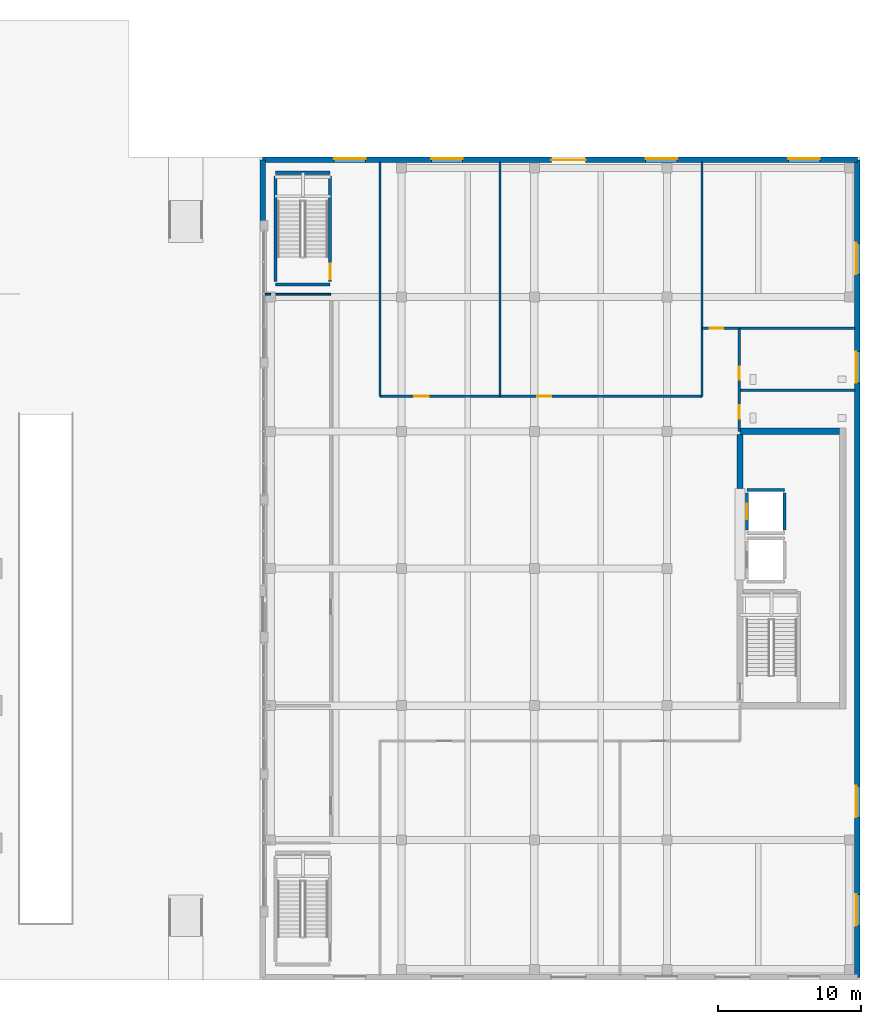
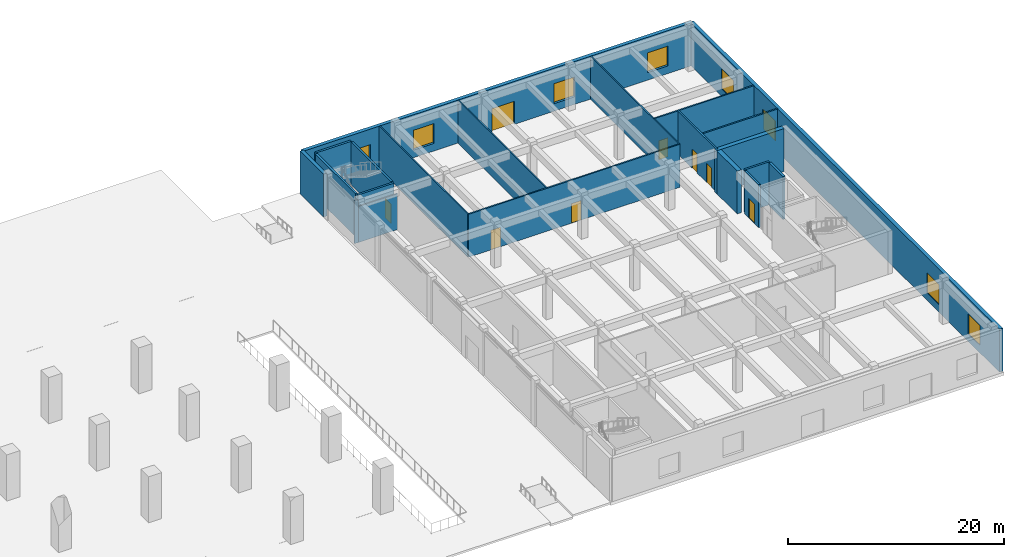
# One storey, part 7 of 24: 21 walls, 8 doors, 8 windows, 16 openings.
"""IFC4 building model written with IfcOpenShell, lengths in metres."""

from ifc_helpers import new_model, si_unit, direction, frame, frame_2d, origin, place, context, subcontext, project, spatial, rectangle, extrude, material, layer, layer_set, type_object, element, fill, save


model = new_model("IFC4")

# Units and contexts
model_context = context("Model", 3, precision=1e-05, world=origin(), true_north=direction((0.0, 1.0)))
body_context = subcontext(model_context, "Body", "Model", "MODEL_VIEW")
ifc_project = project(units=[si_unit("LENGTHUNIT", "METRE"), si_unit("AREAUNIT", "SQUARE_METRE"), si_unit("VOLUMEUNIT", "CUBIC_METRE"), si_unit("PLANEANGLEUNIT", "RADIAN"), si_unit("MASSUNIT", "GRAM", prefix="KILO")], contexts=[model_context])

# Site, building, storey
site_placement = place(None, origin())
site = spatial("IfcSite", under=ifc_project, at=site_placement, CompositionType="ELEMENT")
building_placement = place(site_placement, origin())
building = spatial("IfcBuilding", under=site, at=building_placement, Name="Norrvale University Quadrangle", CompositionType="ELEMENT")
storey_placement = place(building_placement, origin())
storey = spatial("IfcBuildingStorey", under=building, at=storey_placement, Name="L00", CompositionType="ELEMENT", Elevation=0.0)

# Walls
ifc_material_1 = material(Name="Standard Academic Gypsum Partition")
ifc_layer_1 = layer(ifc_material_1, 0.125, Name="Standard Academic Gypsum Partition")
ifc_layer_set_1 = layer_set([ifc_layer_1], Name="Standard Academic Gypsum Partition")
wall_type_1 = type_object("IfcWallType", Name="Wall Gypsum Academic 125", PredefinedType="PARTITIONING", material=ifc_layer_set_1)
wall_1_placement = place(storey_placement, frame((85.550048828125, 48.0, 0.0), z_axis=(0.0, 0.0, 1.0), x_axis=(1.0, 0.0, 0.0)))
element("IfcWall", 1, at=wall_1_placement, inside=storey, type_object=wall_type_1, Name="Interior Partition WL-L00-CIRC-N", PredefinedType="PARTITIONING", context=body_context, shape_type="SweptSolid", body=[
    extrude(rectangle(XDim=0.39990234375, YDim=0.125, at=frame_2d((0.199951171875, 0.0))), origin(), (0.0, 0.0, 1.0), 4.85009765625),
])
wall_2_placement = place(storey_placement, frame((85.949951171875, 48.0, 0.0), z_axis=(0.0, 0.0, 1.0), x_axis=(1.0, 0.0, 0.0)))
element("IfcWall", 2, at=wall_2_placement, inside=storey, type_object=wall_type_1, Name="Interior Partition WL-L00-CIRC-N-B2", PredefinedType="PARTITIONING", context=body_context, shape_type="SweptSolid", body=[
    extrude(rectangle(XDim=4.199951171875, YDim=0.125, at=frame_2d((2.10009765625, 0.0))), origin(), (0.0, 0.0, 1.0), 4.050048828125),
])
for number, where, z_axis, x_axis, name in (
    (3, (93.60009765625, 40.860107421875, 0.0), (0.0, 0.0, 1.0), (0.0, 1.0, 0.0), "Interior Partition WL-L00-LSN-W"),
    (4, (102.0, 40.860107421875, 0.0), (0.0, 0.0, 1.0), (0.0, 1.0, 0.0), "Interior Partition WL-L00-LSN-M"),
    (5, (116.139892578125, 40.860107421875, 0.0), (0.0, 0.0, 1.0), (0.0, 1.0, 0.0), "Interior Partition WL-L00-LSN-E"),
):
    element("IfcWall", number, at=place(storey_placement, frame(where, z_axis=z_axis, x_axis=x_axis)), inside=storey, type_object=wall_type_1, Name=name, PredefinedType="PARTITIONING", context=body_context, shape_type="SweptSolid", body=[
        extrude(rectangle(XDim=16.389892578125, YDim=0.125, at=frame_2d((8.19482421875, 0.0))), origin(), (0.0, 0.0, 1.0), 4.85009765625),
    ])

# Wall, openings, doors
ifc_material_2 = material(Name="Fire-Rated Gypsum Stud Partition")
ifc_layer_2 = layer(ifc_material_2, 0.14990234375, Name="Fire-Rated Gypsum Stud Partition")
ifc_layer_set_2 = layer_set([ifc_layer_2], Name="Fire-Rated Gypsum Stud Partition")
wall_type_2 = type_object("IfcWallType", Name="Wall Gypsum Corridor 150", PredefinedType="PARTITIONING", material=ifc_layer_set_2)
wall_3_placement = place(storey_placement, frame((93.60009765625, 40.860107421875, 0.0), z_axis=(0.0, 0.0, 1.0), x_axis=(1.0, 0.0, 0.0)))
wall_3 = element("IfcWall", 6, at=wall_3_placement, inside=storey, type_object=wall_type_2, Name="Interior Partition WL-L00-LSN-S", PredefinedType="PARTITIONING", context=body_context, shape_type="SweptSolid", body=[
    extrude(rectangle(XDim=22.539794921875, YDim=0.14990234375, at=frame_2d((11.27001953125, 0.0))), origin(), (0.0, 0.0, 1.0), 4.85009765625),
])
opening_1_placement = place(wall_3_placement, frame((2.39990234375, 0.0, 0.0)))
opening_1 = element("IfcOpeningElement", 7, at=opening_1_placement, cuts=wall_3, Name="Opening D04", PredefinedType="OPENING", context=body_context, shape_type="SweptSolid", body=[
    extrude(rectangle(XDim=1.0, YDim=2.199951171875, at=frame_2d((0.5, 1.10009765625))), frame((0.0, 0.0869140625, 0.0), z_axis=(0.0, -1.0, 0.0), x_axis=(1.0, 0.0, 0.0)), (0.0, 0.0, 1.0), 0.173828125),
])
opening_2_placement = place(wall_3_placement, frame((11.0, 0.0, 0.0)))
opening_2 = element("IfcOpeningElement", 8, at=opening_2_placement, cuts=wall_3, Name="Opening D04", PredefinedType="OPENING", context=body_context, shape_type="SweptSolid", body=[
    extrude(rectangle(XDim=1.0, YDim=2.199951171875, at=frame_2d((0.5, 1.10009765625))), frame((0.0, 0.0869140625, 0.0), z_axis=(0.0, -1.0, 0.0), x_axis=(1.0, 0.0, 0.0)), (0.0, 0.0, 1.0), 0.173828125),
])
ifc_material_3 = material(Name="Solid-Core Oak Fire Door", Category="wood")
door_type_1 = type_object("IfcDoorType", Name="Door Corridor 1000x2200", OperationType="NOTDEFINED", PredefinedType="DOOR", material=ifc_material_3)
door_1_placement = place(opening_1_placement, origin())
door_1 = element("IfcDoor", 9, at=door_1_placement, inside=storey, type_object=door_type_1, Name="Door Corridor 1000x2200 DR-L00-LN1", OperationType="SINGLE_SWING_LEFT", OverallHeight=2.199951171875, OverallWidth=1.0, PredefinedType="DOOR", context=body_context, shape_type="SweptSolid", body=[
    extrude(rectangle(XDim=1.0, YDim=2.199951171875, at=frame_2d((0.5, 1.10009765625))), frame((0.0, 0.02490234375, 0.0), z_axis=(0.0, -1.0, 0.0), x_axis=(1.0, 0.0, 0.0)), (0.0, 0.0, 1.0), 0.050048828125),
])
fill(opening_1, door_1)
door_2_placement = place(opening_2_placement, origin())
door_2 = element("IfcDoor", 10, at=door_2_placement, inside=storey, type_object=door_type_1, Name="Door Corridor 1000x2200 DR-L00-LN2", OperationType="SINGLE_SWING_RIGHT", OverallHeight=2.199951171875, OverallWidth=1.0, PredefinedType="DOOR", context=body_context, shape_type="SweptSolid", body=[
    extrude(rectangle(XDim=1.0, YDim=2.199951171875, at=frame_2d((0.5, 1.10009765625))), frame((0.0, 0.02490234375, 0.0), z_axis=(0.0, -1.0, 0.0), x_axis=(1.0, 0.0, 0.0)), (0.0, 0.0, 1.0), 0.050048828125),
])
fill(opening_2, door_2)

# Wall, opening, door
wall_4_placement = place(storey_placement, frame((116.139892578125, 45.6201171875, 0.0), z_axis=(0.0, 0.0, 1.0), x_axis=(1.0, 0.0, 0.0)))
wall_4 = element("IfcWall", 11, at=wall_4_placement, inside=storey, type_object=wall_type_2, Name="Interior Partition WL-L00-LNS-S", PredefinedType="PARTITIONING", context=body_context, shape_type="SweptSolid", body=[
    extrude(rectangle(XDim=10.710205078125, YDim=0.14990234375, at=frame_2d((5.35498046875, 0.0))), origin(), (0.0, 0.0, 1.0), 4.85009765625),
])
opening_3_placement = place(wall_4_placement, frame((0.550048828125, 0.0, 0.0)))
opening_3 = element("IfcOpeningElement", 12, at=opening_3_placement, cuts=wall_4, Name="Opening D07", PredefinedType="OPENING", context=body_context, shape_type="SweptSolid", body=[
    extrude(rectangle(XDim=0.949951171875, YDim=2.14990234375, at=frame_2d((0.47509765625, 1.074951171875))), frame((0.0, 0.0869140625, 0.0), z_axis=(0.0, -1.0, 0.0), x_axis=(1.0, 0.0, 0.0)), (0.0, 0.0, 1.0), 0.173828125),
])
ifc_material_4 = material(Name="Solid-Core Maple Door", Category="wood")
door_type_2 = type_object("IfcDoorType", Name="Door Office 950x2150", OperationType="NOTDEFINED", PredefinedType="DOOR", material=ifc_material_4)
door_3_placement = place(opening_3_placement, origin())
door_3 = element("IfcDoor", 13, at=door_3_placement, inside=storey, type_object=door_type_2, Name="Door Office 950x2150 DR-L00-LNS", OperationType="SINGLE_SWING_LEFT", OverallHeight=2.14990234375, OverallWidth=0.949951171875, PredefinedType="DOOR", context=body_context, shape_type="SweptSolid", body=[
    extrude(rectangle(XDim=0.949951171875, YDim=2.14990234375, at=frame_2d((0.47509765625, 1.074951171875))), frame((0.0, 0.02490234375, 0.0), z_axis=(0.0, -1.0, 0.0), x_axis=(1.0, 0.0, 0.0)), (0.0, 0.0, 1.0), 0.050048828125),
])
fill(opening_3, door_3)

# Wall
ifc_material_5 = material(Name="Sanitary Chase Gypsum Partition")
ifc_layer_3 = layer(ifc_material_5, 0.1650390625, Name="Sanitary Chase Gypsum Partition")
ifc_layer_set_3 = layer_set([ifc_layer_3], Name="Sanitary Chase Gypsum Partition")
wall_type_3 = type_object("IfcWallType", Name="Wall Gypsum Sanitary 165", PredefinedType="PLUMBINGWALL", material=ifc_layer_set_3)
wall_5_placement = place(storey_placement, frame((118.75, 41.280029296875, 0.0), z_axis=(0.0, 0.0, 1.0), x_axis=(1.0, 0.0, 0.0)))
element("IfcWall", 14, at=wall_5_placement, inside=storey, type_object=wall_type_3, Name="Interior Partition WL-L00-LWC-M1", PredefinedType="PLUMBINGWALL", context=body_context, shape_type="SweptSolid", body=[
    extrude(rectangle(XDim=8.10009765625, YDim=0.1650390625, at=frame_2d((4.050048828125, 0.0))), origin(), (0.0, 0.0, 1.0), 4.85009765625),
])

# Wall, openings, doors
wall_6_placement = place(storey_placement, frame((118.75, 38.39990234375, 0.0), z_axis=(0.0, 0.0, 1.0), x_axis=(0.0, 1.0, 0.0)))
wall_6 = element("IfcWall", 15, at=wall_6_placement, inside=storey, type_object=wall_type_3, Name="Interior Partition WL-L00-LWC-W", PredefinedType="PLUMBINGWALL", context=body_context, shape_type="SweptSolid", body=[
    extrude(rectangle(XDim=7.22021484375, YDim=0.1650390625, at=frame_2d((3.610107421875, 0.0))), origin(), (0.0, 0.0, 1.0), 4.85009765625),
])
opening_4_placement = place(wall_6_placement, frame((0.89990234375, 0.0, 0.0)))
opening_4 = element("IfcOpeningElement", 16, at=opening_4_placement, cuts=wall_6, Name="Opening D08", PredefinedType="OPENING", context=body_context, shape_type="SweptSolid", body=[
    extrude(rectangle(XDim=0.919921875, YDim=2.14990234375, at=frame_2d((0.4599609375, 1.074951171875))), frame((0.0, 0.094482421875, 0.0), z_axis=(0.0, -1.0, 0.0), x_axis=(1.0, 0.0, 0.0)), (0.0, 0.0, 1.0), 0.18896484375),
])
opening_5_placement = place(wall_6_placement, frame((3.60009765625, 0.0, 0.0)))
opening_5 = element("IfcOpeningElement", 17, at=opening_5_placement, cuts=wall_6, Name="Opening D08", PredefinedType="OPENING", context=body_context, shape_type="SweptSolid", body=[
    extrude(rectangle(XDim=0.919921875, YDim=2.14990234375, at=frame_2d((0.4599609375, 1.074951171875))), frame((0.0, 0.094482421875, 0.0), z_axis=(0.0, -1.0, 0.0), x_axis=(1.0, 0.0, 0.0)), (0.0, 0.0, 1.0), 0.18896484375),
])
ifc_material_6 = material(Name="Laminate Washroom Door", Category="wood")
door_type_3 = type_object("IfcDoorType", Name="Door Washroom 920x2150", OperationType="NOTDEFINED", PredefinedType="DOOR", material=ifc_material_6)
door_4_placement = place(opening_4_placement, origin())
door_4 = element("IfcDoor", 18, at=door_4_placement, inside=storey, type_object=door_type_3, Name="Door Washroom 920x2150 DR-L00-LWC1", OperationType="SINGLE_SWING_LEFT", OverallHeight=2.14990234375, OverallWidth=0.919921875, PredefinedType="DOOR", context=body_context, shape_type="SweptSolid", body=[
    extrude(rectangle(XDim=0.919921875, YDim=2.14990234375, at=frame_2d((0.4599609375, 1.074951171875))), frame((0.0, 0.02490234375, 0.0), z_axis=(0.0, -1.0, 0.0), x_axis=(1.0, 0.0, 0.0)), (0.0, 0.0, 1.0), 0.050048828125),
])
fill(opening_4, door_4)
door_5_placement = place(opening_5_placement, origin())
door_5 = element("IfcDoor", 19, at=door_5_placement, inside=storey, type_object=door_type_3, Name="Door Washroom 920x2150 DR-L00-LWC2", OperationType="SINGLE_SWING_RIGHT", OverallHeight=2.14990234375, OverallWidth=0.919921875, PredefinedType="DOOR", context=body_context, shape_type="SweptSolid", body=[
    extrude(rectangle(XDim=0.919921875, YDim=2.14990234375, at=frame_2d((0.4599609375, 1.074951171875))), frame((0.0, 0.02490234375, 0.0), z_axis=(0.0, -1.0, 0.0), x_axis=(1.0, 0.0, 0.0)), (0.0, 0.0, 1.0), 0.050048828125),
])
fill(opening_5, door_5)

# Wall, openings, door, windows
ifc_material_7 = material(Name="Buff Norman Clay Brick Masonry", Category="masonry")
ifc_layer_4 = layer(ifc_material_7, 0.3798828125, Name="Buff Norman Clay Brick Masonry")
ifc_layer_set_4 = layer_set([ifc_layer_4], Name="Buff Norman Clay Brick Masonry")
wall_type_4 = type_object("IfcWallType", Name="Wall Lib Brick 380", PredefinedType="SOLIDWALL", material=ifc_layer_set_4)
wall_7_placement = place(storey_placement, frame((85.389892578125, 57.409912109375, 0.0), z_axis=(0.0, 0.0, 1.0), x_axis=(1.0, 0.0, 0.0)))
wall_7 = element("IfcWall", 20, at=wall_7_placement, inside=storey, type_object=wall_type_4, Name="Central Library North Brick Facade L00", PredefinedType="SOLIDWALL", context=body_context, shape_type="SweptSolid", body=[
    extrude(rectangle(XDim=41.6201171875, YDim=0.3798828125, at=frame_2d((20.81005859375, 0.0))), origin(), (0.0, 0.0, 1.0), 4.85009765625),
])
opening_6_placement = place(wall_7_placement, frame((5.0, 0.0, 0.85009765625)))
opening_6 = element("IfcOpeningElement", 21, at=opening_6_placement, cuts=wall_7, Name="Opening W06", PredefinedType="OPENING", context=body_context, shape_type="SweptSolid", body=[
    extrude(rectangle(XDim=2.199951171875, YDim=2.25, at=frame_2d((1.10009765625, 1.125))), frame((0.0, 0.201904296875, 0.0), z_axis=(0.0, -1.0, 0.0), x_axis=(1.0, 0.0, 0.0)), (0.0, 0.0, 1.0), 0.40380859375),
])
opening_7_placement = place(wall_7_placement, frame((11.800048828125, 0.0, 0.85009765625)))
opening_7 = element("IfcOpeningElement", 22, at=opening_7_placement, cuts=wall_7, Name="Opening W06", PredefinedType="OPENING", context=body_context, shape_type="SweptSolid", body=[
    extrude(rectangle(XDim=2.199951171875, YDim=2.25, at=frame_2d((1.10009765625, 1.125))), frame((0.0, 0.201904296875, 0.0), z_axis=(0.0, -1.0, 0.0), x_axis=(1.0, 0.0, 0.0)), (0.0, 0.0, 1.0), 0.40380859375),
])
opening_8_placement = place(wall_7_placement, frame((20.199951171875, 0.0, 0.0)))
opening_8 = element("IfcOpeningElement", 23, at=opening_8_placement, cuts=wall_7, Name="Opening D01", PredefinedType="OPENING", context=body_context, shape_type="SweptSolid", body=[
    extrude(rectangle(XDim=2.39990234375, YDim=2.60009765625, at=frame_2d((1.199951171875, 1.300048828125))), frame((0.0, 0.201904296875, 0.0), z_axis=(0.0, -1.0, 0.0), x_axis=(1.0, 0.0, 0.0)), (0.0, 0.0, 1.0), 0.40380859375),
])
opening_9_placement = place(wall_7_placement, frame((26.800048828125, 0.0, 0.85009765625)))
opening_9 = element("IfcOpeningElement", 24, at=opening_9_placement, cuts=wall_7, Name="Opening W06", PredefinedType="OPENING", context=body_context, shape_type="SweptSolid", body=[
    extrude(rectangle(XDim=2.199951171875, YDim=2.25, at=frame_2d((1.10009765625, 1.125))), frame((0.0, 0.201904296875, 0.0), z_axis=(0.0, -1.0, 0.0), x_axis=(1.0, 0.0, 0.0)), (0.0, 0.0, 1.0), 0.40380859375),
])
opening_10_placement = place(wall_7_placement, frame((36.800048828125, 0.0, 0.85009765625)))
opening_10 = element("IfcOpeningElement", 25, at=opening_10_placement, cuts=wall_7, Name="Opening W06", PredefinedType="OPENING", context=body_context, shape_type="SweptSolid", body=[
    extrude(rectangle(XDim=2.199951171875, YDim=2.25, at=frame_2d((1.10009765625, 1.125))), frame((0.0, 0.201904296875, 0.0), z_axis=(0.0, -1.0, 0.0), x_axis=(1.0, 0.0, 0.0)), (0.0, 0.0, 1.0), 0.40380859375),
])
ifc_material_8 = material(Name="Anodized Aluminium Glazed Door", Category="aluminium")
door_type_4 = type_object("IfcDoorType", Name="Door Main Entry 2400x2600", OperationType="DOUBLE_SWING_LEFT", PredefinedType="DOOR", material=ifc_material_8)
door_6_placement = place(opening_8_placement, origin())
door_6 = element("IfcDoor", 26, at=door_6_placement, inside=storey, type_object=door_type_4, Name="Door Main Entry 2400x2600 DR-L00-LIBN", OperationType="DOUBLE_SWING_LEFT", OverallHeight=2.60009765625, OverallWidth=2.39990234375, PredefinedType="DOOR", context=body_context, shape_type="SweptSolid", body=[
    extrude(rectangle(XDim=2.39990234375, YDim=2.60009765625, at=frame_2d((1.199951171875, 1.300048828125))), frame((0.0, 0.02490234375, 0.0), z_axis=(0.0, -1.0, 0.0), x_axis=(1.0, 0.0, 0.0)), (0.0, 0.0, 1.0), 0.050048828125),
])
fill(opening_8, door_6)
ifc_material_9 = material(Name="Bird-Friendly Fritted Triple Glazing", Category="glass")
window_type = type_object("IfcWindowType", Name="Window Library 2200x2600", PartitioningType="DOUBLE_PANEL_VERTICAL", PredefinedType="WINDOW", material=ifc_material_9)
window_1_placement = place(opening_6_placement, origin())
window_1 = element("IfcWindow", 27, at=window_1_placement, inside=storey, type_object=window_type, Name="Window Library 2200x2600 WIN-L00-LN-01", OverallHeight=2.25, OverallWidth=2.199951171875, PartitioningType="DOUBLE_PANEL_VERTICAL", PredefinedType="WINDOW", context=body_context, shape_type="SweptSolid", body=[
    extrude(rectangle(XDim=2.199951171875, YDim=2.25, at=frame_2d((1.10009765625, 1.125))), frame((0.0, 0.110107421875, 0.0), z_axis=(0.0, -1.0, 0.0), x_axis=(1.0, 0.0, 0.0)), (0.0, 0.0, 1.0), 0.06005859375),
])
fill(opening_6, window_1)
window_2_placement = place(opening_7_placement, origin())
window_2 = element("IfcWindow", 28, at=window_2_placement, inside=storey, type_object=window_type, Name="Window Library 2200x2600 WIN-L00-LN-02", OverallHeight=2.25, OverallWidth=2.199951171875, PartitioningType="DOUBLE_PANEL_VERTICAL", PredefinedType="WINDOW", context=body_context, shape_type="SweptSolid", body=[
    extrude(rectangle(XDim=2.199951171875, YDim=2.25, at=frame_2d((1.10009765625, 1.125))), frame((0.0, 0.110107421875, 0.0), z_axis=(0.0, -1.0, 0.0), x_axis=(1.0, 0.0, 0.0)), (0.0, 0.0, 1.0), 0.06005859375),
])
fill(opening_7, window_2)
window_3_placement = place(opening_9_placement, origin())
window_3 = element("IfcWindow", 29, at=window_3_placement, inside=storey, type_object=window_type, Name="Window Library 2200x2600 WIN-L00-LN-04", OverallHeight=2.25, OverallWidth=2.199951171875, PartitioningType="DOUBLE_PANEL_VERTICAL", PredefinedType="WINDOW", context=body_context, shape_type="SweptSolid", body=[
    extrude(rectangle(XDim=2.199951171875, YDim=2.25, at=frame_2d((1.10009765625, 1.125))), frame((0.0, 0.110107421875, 0.0), z_axis=(0.0, -1.0, 0.0), x_axis=(1.0, 0.0, 0.0)), (0.0, 0.0, 1.0), 0.06005859375),
])
fill(opening_9, window_3)
window_4_placement = place(opening_10_placement, origin())
window_4 = element("IfcWindow", 30, at=window_4_placement, inside=storey, type_object=window_type, Name="Window Library 2200x2600 WIN-L00-LN-05", OverallHeight=2.25, OverallWidth=2.199951171875, PartitioningType="DOUBLE_PANEL_VERTICAL", PredefinedType="WINDOW", context=body_context, shape_type="SweptSolid", body=[
    extrude(rectangle(XDim=2.199951171875, YDim=2.25, at=frame_2d((1.10009765625, 1.125))), frame((0.0, 0.110107421875, 0.0), z_axis=(0.0, -1.0, 0.0), x_axis=(1.0, 0.0, 0.0)), (0.0, 0.0, 1.0), 0.06005859375),
])
fill(opening_10, window_4)

# Wall, openings, windows
wall_8_placement = place(storey_placement, frame((127.010009765625, 0.18994140625, 0.0), z_axis=(0.0, 0.0, 1.0), x_axis=(0.0, 1.0, 0.0)))
wall_8 = element("IfcWall", 31, at=wall_8_placement, inside=storey, type_object=wall_type_4, Name="Central Library East Brick Facade L00", PredefinedType="SOLIDWALL", context=body_context, shape_type="SweptSolid", body=[
    extrude(rectangle(XDim=57.219970703125, YDim=0.3798828125, at=frame_2d((28.60986328125, 0.0))), origin(), (0.0, 0.0, 1.0), 4.85009765625),
])
opening_11_placement = place(wall_8_placement, frame((3.60009765625, 0.0, 0.85009765625)))
opening_11 = element("IfcOpeningElement", 32, at=opening_11_placement, cuts=wall_8, Name="Opening W06", PredefinedType="OPENING", context=body_context, shape_type="SweptSolid", body=[
    extrude(rectangle(XDim=2.199951171875, YDim=2.25, at=frame_2d((1.10009765625, 1.125))), frame((0.0, 0.201904296875, 0.0), z_axis=(0.0, -1.0, 0.0), x_axis=(1.0, 0.0, 0.0)), (0.0, 0.0, 1.0), 0.40380859375),
])
opening_12_placement = place(wall_8_placement, frame((11.199951171875, 0.0, 0.85009765625)))
opening_12 = element("IfcOpeningElement", 33, at=opening_12_placement, cuts=wall_8, Name="Opening W06", PredefinedType="OPENING", context=body_context, shape_type="SweptSolid", body=[
    extrude(rectangle(XDim=2.199951171875, YDim=2.25, at=frame_2d((1.10009765625, 1.125))), frame((0.0, 0.201904296875, 0.0), z_axis=(0.0, -1.0, 0.0), x_axis=(1.0, 0.0, 0.0)), (0.0, 0.0, 1.0), 0.40380859375),
])
opening_13_placement = place(wall_8_placement, frame((41.60009765625, 0.0, 0.85009765625)))
opening_13 = element("IfcOpeningElement", 34, at=opening_13_placement, cuts=wall_8, Name="Opening W06", PredefinedType="OPENING", context=body_context, shape_type="SweptSolid", body=[
    extrude(rectangle(XDim=2.199951171875, YDim=2.25, at=frame_2d((1.10009765625, 1.125))), frame((0.0, 0.201904296875, 0.0), z_axis=(0.0, -1.0, 0.0), x_axis=(1.0, 0.0, 0.0)), (0.0, 0.0, 1.0), 0.40380859375),
])
opening_14_placement = place(wall_8_placement, frame((49.199951171875, 0.0, 0.85009765625)))
opening_14 = element("IfcOpeningElement", 35, at=opening_14_placement, cuts=wall_8, Name="Opening W06", PredefinedType="OPENING", context=body_context, shape_type="SweptSolid", body=[
    extrude(rectangle(XDim=2.199951171875, YDim=2.25, at=frame_2d((1.10009765625, 1.125))), frame((0.0, 0.201904296875, 0.0), z_axis=(0.0, -1.0, 0.0), x_axis=(1.0, 0.0, 0.0)), (0.0, 0.0, 1.0), 0.40380859375),
])
window_5_placement = place(opening_11_placement, origin())
window_5 = element("IfcWindow", 36, at=window_5_placement, inside=storey, type_object=window_type, Name="Window Library 2200x2600 WIN-L00-LE-01", OverallHeight=2.25, OverallWidth=2.199951171875, PartitioningType="DOUBLE_PANEL_VERTICAL", PredefinedType="WINDOW", context=body_context, shape_type="SweptSolid", body=[
    extrude(rectangle(XDim=2.199951171875, YDim=2.25, at=frame_2d((1.10009765625, 1.125))), frame((0.0, 0.110107421875, 0.0), z_axis=(0.0, -1.0, 0.0), x_axis=(1.0, 0.0, 0.0)), (0.0, 0.0, 1.0), 0.06005859375),
])
fill(opening_11, window_5)
window_6_placement = place(opening_12_placement, origin())
window_6 = element("IfcWindow", 37, at=window_6_placement, inside=storey, type_object=window_type, Name="Window Library 2200x2600 WIN-L00-LE-02", OverallHeight=2.25, OverallWidth=2.199951171875, PartitioningType="DOUBLE_PANEL_VERTICAL", PredefinedType="WINDOW", context=body_context, shape_type="SweptSolid", body=[
    extrude(rectangle(XDim=2.199951171875, YDim=2.25, at=frame_2d((1.10009765625, 1.125))), frame((0.0, 0.110107421875, 0.0), z_axis=(0.0, -1.0, 0.0), x_axis=(1.0, 0.0, 0.0)), (0.0, 0.0, 1.0), 0.06005859375),
])
fill(opening_12, window_6)
window_7_placement = place(opening_13_placement, origin())
window_7 = element("IfcWindow", 38, at=window_7_placement, inside=storey, type_object=window_type, Name="Window Library 2200x2600 WIN-L00-LE-03", OverallHeight=2.25, OverallWidth=2.199951171875, PartitioningType="DOUBLE_PANEL_VERTICAL", PredefinedType="WINDOW", context=body_context, shape_type="SweptSolid", body=[
    extrude(rectangle(XDim=2.199951171875, YDim=2.25, at=frame_2d((1.10009765625, 1.125))), frame((0.0, 0.110107421875, 0.0), z_axis=(0.0, -1.0, 0.0), x_axis=(1.0, 0.0, 0.0)), (0.0, 0.0, 1.0), 0.06005859375),
])
fill(opening_13, window_7)
window_8_placement = place(opening_14_placement, origin())
window_8 = element("IfcWindow", 39, at=window_8_placement, inside=storey, type_object=window_type, Name="Window Library 2200x2600 WIN-L00-LE-04", OverallHeight=2.25, OverallWidth=2.199951171875, PartitioningType="DOUBLE_PANEL_VERTICAL", PredefinedType="WINDOW", context=body_context, shape_type="SweptSolid", body=[
    extrude(rectangle(XDim=2.199951171875, YDim=2.25, at=frame_2d((1.10009765625, 1.125))), frame((0.0, 0.110107421875, 0.0), z_axis=(0.0, -1.0, 0.0), x_axis=(1.0, 0.0, 0.0)), (0.0, 0.0, 1.0), 0.06005859375),
])
fill(opening_14, window_8)

# Walls
wall_9_placement = place(storey_placement, frame((85.389892578125, 53.10009765625, 0.0), z_axis=(0.0, 0.0, 1.0), x_axis=(0.0, 1.0, 0.0)))
element("IfcWall", 40, at=wall_9_placement, inside=storey, type_object=wall_type_4, Name="Library West Corner Pier North L00", PredefinedType="SOLIDWALL", context=body_context, shape_type="SweptSolid", body=[
    extrude(rectangle(XDim=4.309814453125, YDim=0.3798828125, at=frame_2d((2.15478515625, 0.0))), origin(), (0.0, 0.0, 1.0), 4.85009765625),
])
ifc_material_10 = material(Name="Concrete C60/75", Category="concrete")
ifc_layer_5 = layer(ifc_material_10, 0.449951171875, Name="Concrete C60/75")
ifc_layer_set_5 = layer_set([ifc_layer_5], Name="Concrete C60/75")
wall_type_5 = type_object("IfcWallType", Name="Wall Lib Core 450", PredefinedType="SHEAR", material=ifc_layer_set_5)
wall_10_placement = place(storey_placement, frame((118.574951171875, 38.39990234375, 0.0), z_axis=(0.0, 0.0, 1.0), x_axis=(1.0, 0.0, 0.0)))
element("IfcWall", 41, at=wall_10_placement, inside=storey, type_object=wall_type_5, Name="Library Core Shear Wall L00-N", PredefinedType="SHEAR", context=body_context, shape_type="SweptSolid", body=[
    extrude(rectangle(XDim=7.199951171875, YDim=0.449951171875, at=frame_2d((3.60009765625, 0.0))), origin(), (0.0, 0.0, 1.0), 4.85009765625),
])
wall_11_placement = place(storey_placement, frame((118.800048828125, 34.39990234375, 0.0), z_axis=(0.0, 0.0, 1.0), x_axis=(0.0, 1.0, 0.0)))
element("IfcWall", 42, at=wall_11_placement, inside=storey, type_object=wall_type_5, Name="Library Core Shear Wall L00-W2", PredefinedType="SHEAR", context=body_context, shape_type="SweptSolid", body=[
    extrude(rectangle(XDim=3.775146484375, YDim=0.449951171875, at=frame_2d((1.8876953125, 0.0))), origin(), (0.0, 0.0, 1.0), 4.85009765625),
])
ifc_material_11 = material(Name="Concrete Blockwork 20 MPa Fire Shaft", Category="masonry")
ifc_layer_6 = layer(ifc_material_11, 0.219970703125, Name="Concrete Blockwork 20 MPa Fire Shaft")
ifc_layer_set_6 = layer_set([ifc_layer_6], Name="Concrete Blockwork 20 MPa Fire Shaft")
wall_type_6 = type_object("IfcWallType", Name="Wall Shaft 220", PredefinedType="SOLIDWALL", material=ifc_layer_set_6)
wall_12_placement = place(storey_placement, frame((86.2900390625, 48.909912109375, 0.0), z_axis=(0.0, 0.0, 1.0), x_axis=(0.0, 1.0, 0.0)))
element("IfcWall", 43, at=wall_12_placement, inside=storey, type_object=wall_type_6, Name="Library Stair ST-L3 West Wall L00", PredefinedType="SOLIDWALL", context=body_context, shape_type="SweptSolid", body=[
    extrude(rectangle(XDim=7.380126953125, YDim=0.219970703125, at=frame_2d((3.68994140625, 0.0))), origin(), (0.0, 0.0, 1.0), 4.85009765625),
])
for number, where, z_axis, x_axis, name in (
    (44, (86.2900390625, 48.68994140625, 0.0), (0.0, 0.0, 1.0), (1.0, 0.0, 0.0), "Library Stair ST-L3 South Wall L00"),
    (45, (86.2900390625, 56.510009765625, 0.0), (0.0, 0.0, 1.0), (1.0, 0.0, 0.0), "Library Stair ST-L3 North Wall L00"),
):
    element("IfcWall", number, at=place(storey_placement, frame(where, z_axis=z_axis, x_axis=x_axis)), inside=storey, type_object=wall_type_6, Name=name, PredefinedType="SOLIDWALL", context=body_context, shape_type="SweptSolid", body=[
        extrude(rectangle(XDim=3.820068359375, YDim=0.219970703125, at=frame_2d((1.91015625, 0.0))), origin(), (0.0, 0.0, 1.0), 4.85009765625),
    ])

# Wall, opening, door
wall_13_placement = place(storey_placement, frame((90.110107421875, 48.909912109375, 0.0), z_axis=(0.0, 0.0, 1.0), x_axis=(0.0, 1.0, 0.0)))
wall_13 = element("IfcWall", 46, at=wall_13_placement, inside=storey, type_object=wall_type_6, Name="Library Stair ST-L3 East Wall L00", PredefinedType="SOLIDWALL", context=body_context, shape_type="SweptSolid", body=[
    extrude(rectangle(XDim=7.380126953125, YDim=0.219970703125, at=frame_2d((3.68994140625, 0.0))), origin(), (0.0, 0.0, 1.0), 4.85009765625),
])
opening_15_placement = place(wall_13_placement, frame((0.139892578125, 0.0, 0.0)))
opening_15 = element("IfcOpeningElement", 47, at=opening_15_placement, cuts=wall_13, Name="Opening D02", PredefinedType="OPENING", context=body_context, shape_type="SweptSolid", body=[
    extrude(rectangle(XDim=1.10009765625, YDim=2.199951171875, at=frame_2d((0.550048828125, 1.10009765625))), frame((0.0, 0.1220703125, 0.0), z_axis=(0.0, -1.0, 0.0), x_axis=(1.0, 0.0, 0.0)), (0.0, 0.0, 1.0), 0.243896484375),
])
ifc_material_12 = material(Name="Hollow Steel 350W Fire Door", Category="steel")
door_type_5 = type_object("IfcDoorType", Name="Door Stair Exit 1100x2200", OperationType="NOTDEFINED", PredefinedType="DOOR", material=ifc_material_12)
door_7_placement = place(opening_15_placement, frame((1.10009765625, 0.0, 0.0), z_axis=(0.0, 0.0, 1.0), x_axis=(-1.0, 0.0, 0.0)))
door_7 = element("IfcDoor", 48, at=door_7_placement, inside=storey, type_object=door_type_5, Name="Door Stair Exit 1100x2200 DR-L00-ST-L3", OperationType="SINGLE_SWING_RIGHT", OverallHeight=2.199951171875, OverallWidth=1.10009765625, PredefinedType="DOOR", context=body_context, shape_type="SweptSolid", body=[
    extrude(rectangle(XDim=1.10009765625, YDim=2.199951171875, at=frame_2d((0.550048828125, 1.10009765625))), frame((0.0, 0.02490234375, 0.0), z_axis=(0.0, -1.0, 0.0), x_axis=(1.0, 0.0, 0.0)), (0.0, 0.0, 1.0), 0.050048828125),
])
fill(opening_15, door_7)

wall_14_placement = place(storey_placement, frame((119.2900390625, 31.510009765625, 0.0), z_axis=(0.0, 0.0, 1.0), x_axis=(0.0, 1.0, 0.0)))
wall_14 = element("IfcWall", 49, at=wall_14_placement, inside=storey, type_object=wall_type_6, Name="Hoistway LL-02 West Wall L00", PredefinedType="SOLIDWALL", context=body_context, shape_type="SweptSolid", body=[
    extrude(rectangle(XDim=2.580078125, YDim=0.219970703125, at=frame_2d((1.2900390625, 0.0))), origin(), (0.0, 0.0, 1.0), 4.85009765625),
])
opening_16_placement = place(wall_14_placement, frame((0.739990234375, 0.0, 0.0)))
opening_16 = element("IfcOpeningElement", 50, at=opening_16_placement, cuts=wall_14, Name="Opening LD1", PredefinedType="OPENING", context=body_context, shape_type="SweptSolid", body=[
    extrude(rectangle(XDim=1.10009765625, YDim=2.199951171875, at=frame_2d((0.550048828125, 1.10009765625))), frame((0.0, 0.1220703125, 0.0), z_axis=(0.0, -1.0, 0.0), x_axis=(1.0, 0.0, 0.0)), (0.0, 0.0, 1.0), 0.243896484375),
])
ifc_material_13 = material(Name="Stainless Steel 316L Lift Landing Door", Category="steel")
door_type_6 = type_object("IfcDoorType", Name="Door Lift Landing 1100x2200", OperationType="DOUBLE_DOOR_SLIDING", PredefinedType="DOOR", material=ifc_material_13)
door_8_placement = place(opening_16_placement, origin())
door_8 = element("IfcDoor", 51, at=door_8_placement, inside=storey, type_object=door_type_6, Name="Elevator Landing Door DR-L00-LL-02", OperationType="DOUBLE_DOOR_SLIDING", OverallHeight=2.199951171875, OverallWidth=1.10009765625, PredefinedType="DOOR", context=body_context, shape_type="SweptSolid", body=[
    extrude(rectangle(XDim=1.10009765625, YDim=2.199951171875, at=frame_2d((0.550048828125, 1.10009765625))), frame((0.0, 0.02490234375, 0.0), z_axis=(0.0, -1.0, 0.0), x_axis=(1.0, 0.0, 0.0)), (0.0, 0.0, 1.0), 0.050048828125),
])
fill(opening_16, door_8)

# Walls
wall_15_placement = place(storey_placement, frame((121.909912109375, 31.510009765625, 0.0), z_axis=(0.0, 0.0, 1.0), x_axis=(0.0, 1.0, 0.0)))
element("IfcWall", 52, at=wall_15_placement, inside=storey, type_object=wall_type_6, Name="Hoistway LL-02 East Wall L00", PredefinedType="SOLIDWALL", context=body_context, shape_type="SweptSolid", body=[
    extrude(rectangle(XDim=2.580078125, YDim=0.219970703125, at=frame_2d((1.2900390625, 0.0))), origin(), (0.0, 0.0, 1.0), 4.85009765625),
])
wall_16_placement = place(storey_placement, frame((119.2900390625, 34.31005859375, 0.0), z_axis=(0.0, 0.0, 1.0), x_axis=(1.0, 0.0, 0.0)))
element("IfcWall", 53, at=wall_16_placement, inside=storey, type_object=wall_type_6, Name="Hoistway LL-02 North Wall L00", PredefinedType="SOLIDWALL", context=body_context, shape_type="SweptSolid", body=[
    extrude(rectangle(XDim=2.619873046875, YDim=0.219970703125, at=frame_2d((1.31005859375, 0.0))), origin(), (0.0, 0.0, 1.0), 4.85009765625),
])

save(model, "model.ifc")
